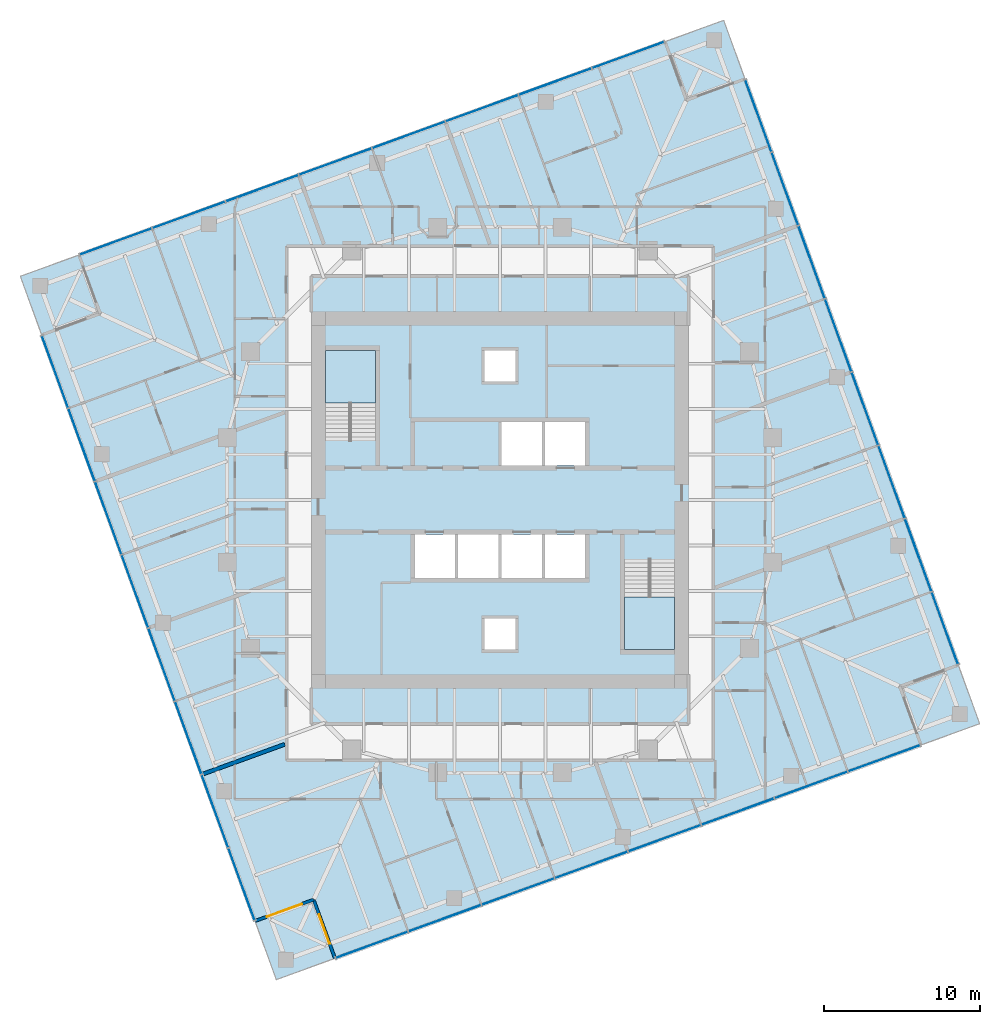
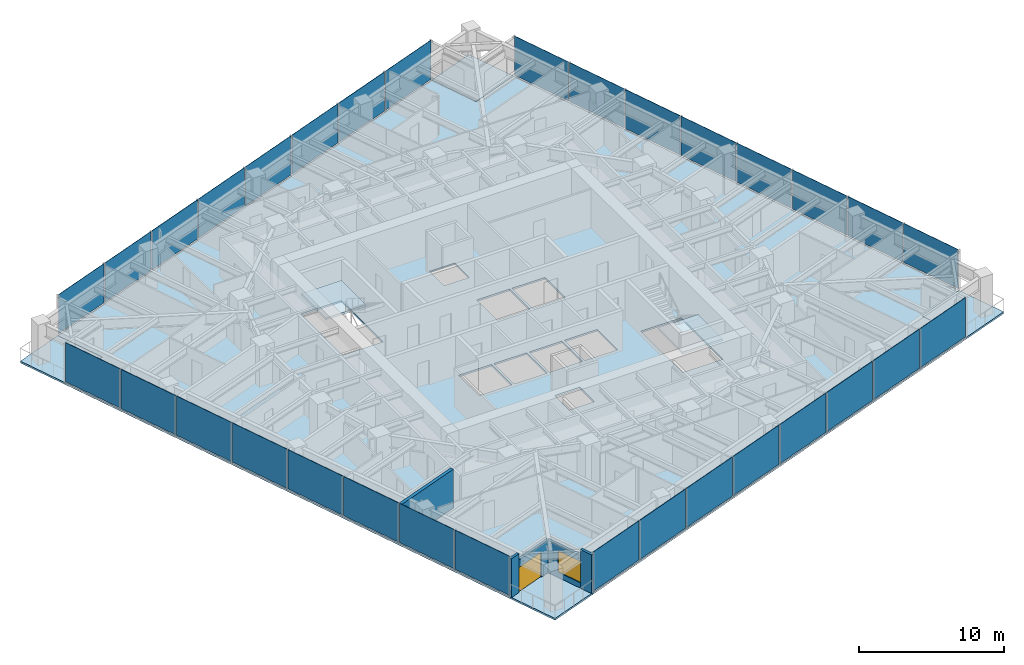
# One storey, part 6 of 13: 32 plates, 7 slabs, 5 walls, 1 door, 1 window, 2 openings, 6 elements without a shape of their own.
"""IFC4 building model written with IfcOpenShell, lengths in metres."""

from ifc_helpers import new_model, si_unit, direction, frame, frame_2d, origin, origin_2d, place, context, subcontext, project, spatial, polyline, rectangle, outline, extrude, material, layer, layer_set, type_object, element, fill, aggregate, save


model = new_model("IFC4")

# Units and contexts
model_context = context("Model", 3, precision=1e-05, world=origin(), true_north=direction((0.0, 1.0)))
body_context = subcontext(model_context, "Body", "Model", "MODEL_VIEW")
ifc_project = project(units=[si_unit("LENGTHUNIT", "METRE"), si_unit("AREAUNIT", "SQUARE_METRE"), si_unit("VOLUMEUNIT", "CUBIC_METRE"), si_unit("PLANEANGLEUNIT", "RADIAN"), si_unit("MASSUNIT", "GRAM", prefix="KILO")], contexts=[model_context])

# Site, building, storey
site_placement = place(None, origin())
site = spatial("IfcSite", under=ifc_project, at=site_placement, CompositionType="ELEMENT")
building_placement = place(site_placement, origin())
building = spatial("IfcBuilding", under=site, at=building_placement, Name="Torsade Residences", CompositionType="ELEMENT")
storey_placement = place(building_placement, frame((0.0, 0.0, 143.800048828125)))
storey = spatial("IfcBuildingStorey", under=building, at=storey_placement, Name="L39", CompositionType="ELEMENT", Elevation=143.800048828125)

# Slab
ifc_material_1 = material(Name="Concrete 40 MPa", Category="concrete")
ifc_layer_1 = layer(ifc_material_1, 0.14990234375)
ifc_layer_set_1 = layer_set([ifc_layer_1], Name="Concrete 40 MPa")
slab_type_1 = type_object("IfcSlabType", Name="COMPOSITE FLOOR SLAB 150", PredefinedType="FLOOR", material=ifc_layer_set_1)
slab_1_placement = place(storey_placement, frame((0.0, 0.0, -0.150146484375)))
element("IfcSlab", 1, at=slab_1_placement, inside=storey, type_object=slab_type_1, Name="Floor slab L39", PredefinedType="FLOOR", context=body_context, shape_type="SweptSolid", body=[
    extrude(outline(polyline([(29.41455078125, 0.60693359375), (67.00244140625, 14.287841796875), (65.63427734375, 18.046630859375), (69.39306640625, 19.41455078125), (55.712158203125, 57.00244140625), (51.953369140625, 55.63427734375), (50.58544921875, 59.39306640625), (12.99755859375, 45.712158203125), (14.36572265625, 41.953369140625), (10.60693359375, 40.58544921875), (24.287841796875, 2.99755859375), (28.046630859375, 4.36572265625), (29.41455078125, 0.60693359375)]), holes=[polyline([(51.199951171875, 26.1201171875), (48.0, 26.1201171875), (48.0, 20.39990234375), (51.199951171875, 20.39990234375), (51.199951171875, 26.1201171875)]), polyline([(45.5, 27.800048828125), (42.89990234375, 27.800048828125), (42.89990234375, 25.0), (45.5, 25.0), (45.5, 27.800048828125)]), polyline([(45.5, 35.0), (42.89990234375, 35.0), (42.89990234375, 32.199951171875), (45.5, 32.199951171875), (45.5, 35.0)]), polyline([(42.699951171875, 25.0), (42.699951171875, 27.800048828125), (40.10009765625, 27.800048828125), (40.10009765625, 25.0), (42.699951171875, 25.0)]), polyline([(42.699951171875, 35.0), (40.10009765625, 35.0), (40.10009765625, 32.199951171875), (42.699951171875, 32.199951171875), (42.699951171875, 35.0)]), polyline([(41.0, 22.39990234375), (39.0, 22.39990234375), (39.0, 20.39990234375), (41.0, 20.39990234375), (41.0, 22.39990234375)]), polyline([(41.0, 37.60009765625), (41.0, 39.60009765625), (39.0, 39.60009765625), (39.0, 37.60009765625), (41.0, 37.60009765625)]), polyline([(39.89990234375, 25.0), (39.89990234375, 27.800048828125), (37.300048828125, 27.800048828125), (37.300048828125, 25.0), (39.89990234375, 25.0)]), polyline([(37.10009765625, 27.800048828125), (34.5, 27.800048828125), (34.5, 25.0), (37.10009765625, 25.0), (37.10009765625, 27.800048828125)]), polyline([(32.0, 33.8798828125), (32.0, 39.60009765625), (28.800048828125, 39.60009765625), (28.800048828125, 33.8798828125), (32.0, 33.8798828125)])]), origin(), (0.0, 0.0, 1.0), 0.150146484375),
])

# Curtain wall, plates
ifc_material_2 = material(Name="Aluminium and glass", Category="aluminium")
curtain_wall_type = type_object("IfcCurtainWallType", Name="FRITTED GLASS CURTAIN WALL MID ZONE", PredefinedType="NOTDEFINED", material=ifc_material_2)
curtain_wall_1_placement = place(storey_placement, origin())
curtain_wall_1 = element("IfcCurtainWall", 2, at=curtain_wall_1_placement, inside=storey, type_object=curtain_wall_type, Name="Curtain wall L39 face 1", PredefinedType="NOTDEFINED")
ifc_material_3 = material(Name="Laminated glass", Category="glass")
ifc_layer_2 = layer(ifc_material_3, 0.031982421875)
ifc_layer_set_2 = layer_set([ifc_layer_2], Name="Laminated glass")
plate_type_1 = type_object("IfcPlateType", Name="FRITTED GLASS PANEL", PredefinedType="CURTAIN_PANEL", material=ifc_layer_set_2)
plate_1_placement = place(storey_placement, frame((31.78271484375, 1.46875, 0.10986328125), z_axis=(0.0, 0.0, 1.0), x_axis=(0.939692619132, 0.342020147869, 0.0)))
plate_1 = element("IfcPlate", 3, at=plate_1_placement, type_object=plate_type_1, Name="Panel 1", PredefinedType="CURTAIN_PANEL", context=body_context, shape_type="SweptSolid", body=[
    extrude(rectangle(XDim=4.8798828125, YDim=0.031982421875, at=origin_2d()), origin(), (0.0, 0.0, 1.0), 3.2900390625),
])
plate_2_placement = place(storey_placement, frame((41.160888671875, 4.88232421875, 0.10986328125), z_axis=(0.0, 0.0, 1.0), x_axis=(0.939692619132, 0.342020147869, 0.0)))
plate_2 = element("IfcPlate", 4, at=plate_2_placement, type_object=plate_type_1, Name="Panel 3", PredefinedType="CURTAIN_PANEL", context=body_context, shape_type="SweptSolid", body=[
    extrude(rectangle(XDim=4.919921875, YDim=0.031982421875, at=origin_2d()), origin(), (0.0, 0.0, 1.0), 3.2900390625),
])
plate_3_placement = place(storey_placement, frame((45.859130859375, 6.59228515625, 0.10986328125), z_axis=(0.0, 0.0, 1.0), x_axis=(0.939692619132, 0.342020147869, 0.0)))
plate_3 = element("IfcPlate", 5, at=plate_3_placement, type_object=plate_type_1, Name="Panel 4", PredefinedType="CURTAIN_PANEL", context=body_context, shape_type="SweptSolid", body=[
    extrude(rectangle(XDim=4.919921875, YDim=0.031982421875, at=origin_2d()), origin(), (0.0, 0.0, 1.0), 3.2900390625),
])
plate_4_placement = place(storey_placement, frame((50.5576171875, 8.302490234375, 0.10986328125), z_axis=(0.0, 0.0, 1.0), x_axis=(0.939692619132, 0.342020147869, 0.0)))
plate_4 = element("IfcPlate", 6, at=plate_4_placement, type_object=plate_type_1, Name="Panel 5", PredefinedType="CURTAIN_PANEL", context=body_context, shape_type="SweptSolid", body=[
    extrude(rectangle(XDim=4.919921875, YDim=0.031982421875, at=origin_2d()), origin(), (0.0, 0.0, 1.0), 3.2900390625),
])
plate_5_placement = place(storey_placement, frame((59.95458984375, 11.72265625, 0.10986328125), z_axis=(0.0, 0.0, 1.0), x_axis=(0.939692619132, 0.342020147869, 0.0)))
plate_5 = element("IfcPlate", 7, at=plate_5_placement, type_object=plate_type_1, Name="Panel 7", PredefinedType="CURTAIN_PANEL", context=body_context, shape_type="SweptSolid", body=[
    extrude(rectangle(XDim=4.919921875, YDim=0.031982421875, at=origin_2d()), origin(), (0.0, 0.0, 1.0), 3.2900390625),
])
plate_6_placement = place(storey_placement, frame((64.63427734375, 13.42578125, 0.10986328125), z_axis=(0.0, 0.0, 1.0), x_axis=(0.939692619132, 0.342020147869, 0.0)))
plate_6 = element("IfcPlate", 8, at=plate_6_placement, type_object=plate_type_1, Name="Panel 8", PredefinedType="CURTAIN_PANEL", context=body_context, shape_type="SweptSolid", body=[
    extrude(rectangle(XDim=4.8798828125, YDim=0.031982421875, at=origin_2d()), origin(), (0.0, 0.0, 1.0), 3.2900390625),
])

curtain_wall_2_placement = place(storey_placement, origin())
curtain_wall_2 = element("IfcCurtainWall", 9, at=curtain_wall_2_placement, inside=storey, type_object=curtain_wall_type, Name="Curtain wall L39 face 4", PredefinedType="NOTDEFINED")
plate_7_placement = place(storey_placement, frame((68.53125, 21.78271484375, 0.10986328125), z_axis=(0.0, 0.0, 1.0), x_axis=(-0.342020147869, 0.939692619132, 0.0)))
plate_7 = element("IfcPlate", 10, at=plate_7_placement, type_object=plate_type_1, Name="Panel 1", PredefinedType="CURTAIN_PANEL", context=body_context, shape_type="SweptSolid", body=[
    extrude(rectangle(XDim=4.8798828125, YDim=0.031982421875, at=origin_2d()), origin(), (0.0, 0.0, 1.0), 3.2900390625),
])
plate_8_placement = place(storey_placement, frame((65.11767578125, 31.160888671875, 0.10986328125), z_axis=(0.0, 0.0, 1.0), x_axis=(-0.342020147869, 0.939692619132, 0.0)))
plate_8 = element("IfcPlate", 11, at=plate_8_placement, type_object=plate_type_1, Name="Panel 3", PredefinedType="CURTAIN_PANEL", context=body_context, shape_type="SweptSolid", body=[
    extrude(rectangle(XDim=4.919921875, YDim=0.031982421875, at=origin_2d()), origin(), (0.0, 0.0, 1.0), 3.2900390625),
])
plate_9_placement = place(storey_placement, frame((63.40771484375, 35.859130859375, 0.10986328125), z_axis=(0.0, 0.0, 1.0), x_axis=(-0.342020147869, 0.939692619132, 0.0)))
plate_9 = element("IfcPlate", 12, at=plate_9_placement, type_object=plate_type_1, Name="Panel 4", PredefinedType="CURTAIN_PANEL", context=body_context, shape_type="SweptSolid", body=[
    extrude(rectangle(XDim=4.919921875, YDim=0.031982421875, at=origin_2d()), origin(), (0.0, 0.0, 1.0), 3.2900390625),
])
plate_10_placement = place(storey_placement, frame((61.697509765625, 40.5576171875, 0.10986328125), z_axis=(0.0, 0.0, 1.0), x_axis=(-0.342020147869, 0.939692619132, 0.0)))
plate_10 = element("IfcPlate", 13, at=plate_10_placement, type_object=plate_type_1, Name="Panel 5", PredefinedType="CURTAIN_PANEL", context=body_context, shape_type="SweptSolid", body=[
    extrude(rectangle(XDim=4.919921875, YDim=0.031982421875, at=origin_2d()), origin(), (0.0, 0.0, 1.0), 3.2900390625),
])
plate_11_placement = place(storey_placement, frame((58.27734375, 49.95458984375, 0.10986328125), z_axis=(0.0, 0.0, 1.0), x_axis=(-0.342020147869, 0.939692619132, 0.0)))
plate_11 = element("IfcPlate", 14, at=plate_11_placement, type_object=plate_type_1, Name="Panel 7", PredefinedType="CURTAIN_PANEL", context=body_context, shape_type="SweptSolid", body=[
    extrude(rectangle(XDim=4.919921875, YDim=0.031982421875, at=origin_2d()), origin(), (0.0, 0.0, 1.0), 3.2900390625),
])
plate_12_placement = place(storey_placement, frame((56.57421875, 54.63427734375, 0.10986328125), z_axis=(0.0, 0.0, 1.0), x_axis=(-0.342020147869, 0.939692619132, 0.0)))
plate_12 = element("IfcPlate", 15, at=plate_12_placement, type_object=plate_type_1, Name="Panel 8", PredefinedType="CURTAIN_PANEL", context=body_context, shape_type="SweptSolid", body=[
    extrude(rectangle(XDim=4.8798828125, YDim=0.031982421875, at=origin_2d()), origin(), (0.0, 0.0, 1.0), 3.2900390625),
])

curtain_wall_3_placement = place(storey_placement, origin())
curtain_wall_3 = element("IfcCurtainWall", 16, at=curtain_wall_3_placement, inside=storey, type_object=curtain_wall_type, Name="Curtain wall L39 face 7", PredefinedType="NOTDEFINED")
plate_13_placement = place(storey_placement, frame((48.21728515625, 58.53125, 0.10986328125), z_axis=(0.0, 0.0, 1.0), x_axis=(-0.939692619132, -0.342020147869, 0.0)))
plate_13 = element("IfcPlate", 17, at=plate_13_placement, type_object=plate_type_1, Name="Panel 1", PredefinedType="CURTAIN_PANEL", context=body_context, shape_type="SweptSolid", body=[
    extrude(rectangle(XDim=4.8798828125, YDim=0.031982421875, at=origin_2d()), origin(), (0.0, 0.0, 1.0), 3.2900390625),
])
plate_14_placement = place(storey_placement, frame((38.839111328125, 55.11767578125, 0.10986328125), z_axis=(0.0, 0.0, 1.0), x_axis=(-0.939692619132, -0.342020147869, 0.0)))
plate_14 = element("IfcPlate", 18, at=plate_14_placement, type_object=plate_type_1, Name="Panel 3", PredefinedType="CURTAIN_PANEL", context=body_context, shape_type="SweptSolid", body=[
    extrude(rectangle(XDim=4.919921875, YDim=0.031982421875, at=origin_2d()), origin(), (0.0, 0.0, 1.0), 3.2900390625),
])
plate_15_placement = place(storey_placement, frame((34.140869140625, 53.40771484375, 0.10986328125), z_axis=(0.0, 0.0, 1.0), x_axis=(-0.939692619132, -0.342020147869, 0.0)))
plate_15 = element("IfcPlate", 19, at=plate_15_placement, type_object=plate_type_1, Name="Panel 4", PredefinedType="CURTAIN_PANEL", context=body_context, shape_type="SweptSolid", body=[
    extrude(rectangle(XDim=4.919921875, YDim=0.031982421875, at=origin_2d()), origin(), (0.0, 0.0, 1.0), 3.2900390625),
])
plate_16_placement = place(storey_placement, frame((29.4423828125, 51.697509765625, 0.10986328125), z_axis=(0.0, 0.0, 1.0), x_axis=(-0.939692619132, -0.342020147869, 0.0)))
plate_16 = element("IfcPlate", 20, at=plate_16_placement, type_object=plate_type_1, Name="Panel 5", PredefinedType="CURTAIN_PANEL", context=body_context, shape_type="SweptSolid", body=[
    extrude(rectangle(XDim=4.919921875, YDim=0.031982421875, at=origin_2d()), origin(), (0.0, 0.0, 1.0), 3.2900390625),
])
plate_17_placement = place(storey_placement, frame((20.04541015625, 48.27734375, 0.10986328125), z_axis=(0.0, 0.0, 1.0), x_axis=(-0.939692619132, -0.342020147869, 0.0)))
plate_17 = element("IfcPlate", 21, at=plate_17_placement, type_object=plate_type_1, Name="Panel 7", PredefinedType="CURTAIN_PANEL", context=body_context, shape_type="SweptSolid", body=[
    extrude(rectangle(XDim=4.919921875, YDim=0.031982421875, at=origin_2d()), origin(), (0.0, 0.0, 1.0), 3.2900390625),
])
plate_18_placement = place(storey_placement, frame((15.36572265625, 46.57421875, 0.10986328125), z_axis=(0.0, 0.0, 1.0), x_axis=(-0.939692619132, -0.342020147869, 0.0)))
plate_18 = element("IfcPlate", 22, at=plate_18_placement, type_object=plate_type_1, Name="Panel 8", PredefinedType="CURTAIN_PANEL", context=body_context, shape_type="SweptSolid", body=[
    extrude(rectangle(XDim=4.8798828125, YDim=0.031982421875, at=origin_2d()), origin(), (0.0, 0.0, 1.0), 3.2900390625),
])

curtain_wall_4_placement = place(storey_placement, origin())
curtain_wall_4 = element("IfcCurtainWall", 23, at=curtain_wall_4_placement, inside=storey, type_object=curtain_wall_type, Name="Curtain wall L39 face 10", PredefinedType="NOTDEFINED")
plate_19_placement = place(storey_placement, frame((11.46875, 38.21728515625, 0.10986328125), z_axis=(0.0, 0.0, 1.0), x_axis=(0.342020147869, -0.939692619132, 0.0)))
plate_19 = element("IfcPlate", 24, at=plate_19_placement, type_object=plate_type_1, Name="Panel 1", PredefinedType="CURTAIN_PANEL", context=body_context, shape_type="SweptSolid", body=[
    extrude(rectangle(XDim=4.8798828125, YDim=0.031982421875, at=origin_2d()), origin(), (0.0, 0.0, 1.0), 3.2900390625),
])
plate_20_placement = place(storey_placement, frame((14.88232421875, 28.839111328125, 0.10986328125), z_axis=(0.0, 0.0, 1.0), x_axis=(0.342020147869, -0.939692619132, 0.0)))
plate_20 = element("IfcPlate", 25, at=plate_20_placement, type_object=plate_type_1, Name="Panel 3", PredefinedType="CURTAIN_PANEL", context=body_context, shape_type="SweptSolid", body=[
    extrude(rectangle(XDim=4.919921875, YDim=0.031982421875, at=origin_2d()), origin(), (0.0, 0.0, 1.0), 3.2900390625),
])
plate_21_placement = place(storey_placement, frame((16.59228515625, 24.140869140625, 0.10986328125), z_axis=(0.0, 0.0, 1.0), x_axis=(0.342020147869, -0.939692619132, 0.0)))
plate_21 = element("IfcPlate", 26, at=plate_21_placement, type_object=plate_type_1, Name="Panel 4", PredefinedType="CURTAIN_PANEL", context=body_context, shape_type="SweptSolid", body=[
    extrude(rectangle(XDim=4.919921875, YDim=0.031982421875, at=origin_2d()), origin(), (0.0, 0.0, 1.0), 3.2900390625),
])
plate_22_placement = place(storey_placement, frame((18.302490234375, 19.4423828125, 0.10986328125), z_axis=(0.0, 0.0, 1.0), x_axis=(0.342020147869, -0.939692619132, 0.0)))
plate_22 = element("IfcPlate", 27, at=plate_22_placement, type_object=plate_type_1, Name="Panel 5", PredefinedType="CURTAIN_PANEL", context=body_context, shape_type="SweptSolid", body=[
    extrude(rectangle(XDim=4.919921875, YDim=0.031982421875, at=origin_2d()), origin(), (0.0, 0.0, 1.0), 3.2900390625),
])
plate_23_placement = place(storey_placement, frame((21.72265625, 10.04541015625, 0.10986328125), z_axis=(0.0, 0.0, 1.0), x_axis=(0.342020147869, -0.939692619132, 0.0)))
plate_23 = element("IfcPlate", 28, at=plate_23_placement, type_object=plate_type_1, Name="Panel 7", PredefinedType="CURTAIN_PANEL", context=body_context, shape_type="SweptSolid", body=[
    extrude(rectangle(XDim=4.919921875, YDim=0.031982421875, at=origin_2d()), origin(), (0.0, 0.0, 1.0), 3.2900390625),
])
plate_24_placement = place(storey_placement, frame((23.42578125, 5.36572265625, 0.10986328125), z_axis=(0.0, 0.0, 1.0), x_axis=(0.342020147869, -0.939692619132, 0.0)))
plate_24 = element("IfcPlate", 29, at=plate_24_placement, type_object=plate_type_1, Name="Panel 8", PredefinedType="CURTAIN_PANEL", context=body_context, shape_type="SweptSolid", body=[
    extrude(rectangle(XDim=4.8798828125, YDim=0.031982421875, at=origin_2d()), origin(), (0.0, 0.0, 1.0), 3.2900390625),
])

# Plate
ifc_material_4 = material(Name="Laminated glass", Category="glass")
ifc_layer_3 = layer(ifc_material_4, 0.0400390625)
ifc_layer_set_3 = layer_set([ifc_layer_3], Name="Laminated glass")
plate_type_2 = type_object("IfcPlateType", Name="OPERABLE VENT PANEL", PredefinedType="CURTAIN_PANEL", material=ifc_layer_set_3)
plate_25_placement = place(storey_placement, frame((36.46240234375, 3.172119140625, 0.10986328125), z_axis=(0.0, 0.0, 1.0), x_axis=(0.939692619132, 0.342020147869, 0.0)))
plate_25 = element("IfcPlate", 30, at=plate_25_placement, type_object=plate_type_2, Name="Panel 2", PredefinedType="CURTAIN_PANEL", context=body_context, shape_type="SweptSolid", body=[
    extrude(rectangle(XDim=4.919921875, YDim=0.0400390625, at=origin_2d()), origin(), (0.0, 0.0, 1.0), 3.2900390625),
])

plate_26_placement = place(storey_placement, frame((55.256103515625, 10.012451171875, 0.10986328125), z_axis=(0.0, 0.0, 1.0), x_axis=(0.939692619132, 0.342020147869, 0.0)))
plate_26 = element("IfcPlate", 31, at=plate_26_placement, type_object=plate_type_2, Name="Panel 6", PredefinedType="CURTAIN_PANEL", context=body_context, shape_type="SweptSolid", body=[
    extrude(rectangle(XDim=4.919921875, YDim=0.0400390625, at=origin_2d()), origin(), (0.0, 0.0, 1.0), 3.2900390625),
])

aggregate(curtain_wall_1, [plate_1, plate_25, plate_2, plate_3, plate_4, plate_26, plate_5, plate_6])

plate_27_placement = place(storey_placement, frame((66.827880859375, 26.46240234375, 0.10986328125), z_axis=(0.0, 0.0, 1.0), x_axis=(-0.342020147869, 0.939692619132, 0.0)))
plate_27 = element("IfcPlate", 32, at=plate_27_placement, type_object=plate_type_2, Name="Panel 2", PredefinedType="CURTAIN_PANEL", context=body_context, shape_type="SweptSolid", body=[
    extrude(rectangle(XDim=4.919921875, YDim=0.0400390625, at=origin_2d()), origin(), (0.0, 0.0, 1.0), 3.2900390625),
])

plate_28_placement = place(storey_placement, frame((59.987548828125, 45.256103515625, 0.10986328125), z_axis=(0.0, 0.0, 1.0), x_axis=(-0.342020147869, 0.939692619132, 0.0)))
plate_28 = element("IfcPlate", 33, at=plate_28_placement, type_object=plate_type_2, Name="Panel 6", PredefinedType="CURTAIN_PANEL", context=body_context, shape_type="SweptSolid", body=[
    extrude(rectangle(XDim=4.919921875, YDim=0.0400390625, at=origin_2d()), origin(), (0.0, 0.0, 1.0), 3.2900390625),
])

aggregate(curtain_wall_2, [plate_7, plate_27, plate_8, plate_9, plate_10, plate_28, plate_11, plate_12])

plate_29_placement = place(storey_placement, frame((43.53759765625, 56.827880859375, 0.10986328125), z_axis=(0.0, 0.0, 1.0), x_axis=(-0.939692619132, -0.342020147869, 0.0)))
plate_29 = element("IfcPlate", 34, at=plate_29_placement, type_object=plate_type_2, Name="Panel 2", PredefinedType="CURTAIN_PANEL", context=body_context, shape_type="SweptSolid", body=[
    extrude(rectangle(XDim=4.919921875, YDim=0.0400390625, at=origin_2d()), origin(), (0.0, 0.0, 1.0), 3.2900390625),
])

plate_30_placement = place(storey_placement, frame((24.743896484375, 49.987548828125, 0.10986328125), z_axis=(0.0, 0.0, 1.0), x_axis=(-0.939692619132, -0.342020147869, 0.0)))
plate_30 = element("IfcPlate", 35, at=plate_30_placement, type_object=plate_type_2, Name="Panel 6", PredefinedType="CURTAIN_PANEL", context=body_context, shape_type="SweptSolid", body=[
    extrude(rectangle(XDim=4.919921875, YDim=0.0400390625, at=origin_2d()), origin(), (0.0, 0.0, 1.0), 3.2900390625),
])

aggregate(curtain_wall_3, [plate_13, plate_29, plate_14, plate_15, plate_16, plate_30, plate_17, plate_18])

plate_31_placement = place(storey_placement, frame((13.172119140625, 33.53759765625, 0.10986328125), z_axis=(0.0, 0.0, 1.0), x_axis=(0.342020147869, -0.939692619132, 0.0)))
plate_31 = element("IfcPlate", 36, at=plate_31_placement, type_object=plate_type_2, Name="Panel 2", PredefinedType="CURTAIN_PANEL", context=body_context, shape_type="SweptSolid", body=[
    extrude(rectangle(XDim=4.919921875, YDim=0.0400390625, at=origin_2d()), origin(), (0.0, 0.0, 1.0), 3.2900390625),
])

plate_32_placement = place(storey_placement, frame((20.012451171875, 14.743896484375, 0.10986328125), z_axis=(0.0, 0.0, 1.0), x_axis=(0.342020147869, -0.939692619132, 0.0)))
plate_32 = element("IfcPlate", 37, at=plate_32_placement, type_object=plate_type_2, Name="Panel 6", PredefinedType="CURTAIN_PANEL", context=body_context, shape_type="SweptSolid", body=[
    extrude(rectangle(XDim=4.919921875, YDim=0.0400390625, at=origin_2d()), origin(), (0.0, 0.0, 1.0), 3.2900390625),
])

aggregate(curtain_wall_4, [plate_19, plate_31, plate_20, plate_21, plate_22, plate_32, plate_23, plate_24])

# Stair, slab
ifc_material_5 = material(Name="Precast concrete 40 MPa", Category="concrete")
stair_type = type_object("IfcStairType", Name="HALF-TURN FIRE STAIR 1500x3400", PredefinedType="HALF_TURN_STAIR", material=ifc_material_5)
stair_1_placement = place(storey_placement, origin())
stair_1 = element("IfcStair", 38, at=stair_1_placement, inside=storey, type_object=stair_type, Name="Stair ST1 L39", PredefinedType="HALF_TURN_STAIR")
ifc_material_6 = material(Name="Precast concrete 40 MPa", Category="concrete")
ifc_layer_4 = layer(ifc_material_6, 0.179931640625)
ifc_layer_set_4 = layer_set([ifc_layer_4], Name="Precast concrete 40 MPa")
slab_type_2 = type_object("IfcSlabType", Name="PRECAST STAIR LANDING 180", PredefinedType="LANDING", material=ifc_layer_set_4)
slab_2_placement = place(storey_placement, frame((0.0, 0.0, 1.52001953125)))
slab_2 = element("IfcSlab", 39, at=slab_2_placement, type_object=slab_type_2, Name="ST1 landing 1", PredefinedType="LANDING", context=body_context, shape_type="SweptSolid", body=[
    extrude(outline(polyline([(28.800048828125, 36.2099609375), (32.0, 36.2099609375), (32.0, 39.60009765625), (28.800048828125, 39.60009765625), (28.800048828125, 36.2099609375)])), origin(), (0.0, 0.0, 1.0), 0.179931640625),
])
aggregate(stair_1, [slab_2])

stair_2_placement = place(storey_placement, origin())
stair_2 = element("IfcStair", 40, at=stair_2_placement, inside=storey, type_object=stair_type, Name="Stair ST2 L39", PredefinedType="HALF_TURN_STAIR")
slab_3_placement = place(storey_placement, frame((0.0, 0.0, 1.52001953125)))
slab_3 = element("IfcSlab", 41, at=slab_3_placement, type_object=slab_type_2, Name="ST2 landing 1", PredefinedType="LANDING", context=body_context, shape_type="SweptSolid", body=[
    extrude(outline(polyline([(48.0, 20.39990234375), (51.199951171875, 20.39990234375), (51.199951171875, 23.7900390625), (48.0, 23.7900390625), (48.0, 20.39990234375)])), origin(), (0.0, 0.0, 1.0), 0.179931640625),
])
aggregate(stair_2, [slab_3])

# Slabs
ifc_material_7 = material(Name="Concrete 40 MPa", Category="concrete")
ifc_layer_5 = layer(ifc_material_7, 0.14990234375)
ifc_layer_set_5 = layer_set([ifc_layer_5], Name="Concrete 40 MPa")
slab_type_3 = type_object("IfcSlabType", Name="TERRACE SLAB 150", PredefinedType="FLOOR", material=ifc_layer_set_5)
slab_4_placement = place(storey_placement, frame((0.0, 0.0, -0.150146484375)))
element("IfcSlab", 42, at=slab_4_placement, inside=storey, type_object=slab_type_3, Name="Corner terrace slab SE L39", PredefinedType="FLOOR", context=body_context, shape_type="SweptSolid", body=[
    extrude(outline(polyline([(67.00244140625, 14.287841796875), (70.760986328125, 15.65576171875), (69.39306640625, 19.41455078125), (65.63427734375, 18.046630859375), (67.00244140625, 14.287841796875)])), origin(), (0.0, 0.0, 1.0), 0.150146484375),
])
slab_5_placement = place(storey_placement, frame((0.0, 0.0, -0.150146484375)))
element("IfcSlab", 43, at=slab_5_placement, inside=storey, type_object=slab_type_3, Name="Corner terrace slab NE L39", PredefinedType="FLOOR", context=body_context, shape_type="SweptSolid", body=[
    extrude(outline(polyline([(51.953369140625, 55.63427734375), (55.712158203125, 57.00244140625), (54.34423828125, 60.760986328125), (50.58544921875, 59.39306640625), (51.953369140625, 55.63427734375)])), origin(), (0.0, 0.0, 1.0), 0.150146484375),
])
slab_6_placement = place(storey_placement, frame((0.0, 0.0, -0.150146484375)))
element("IfcSlab", 44, at=slab_6_placement, inside=storey, type_object=slab_type_3, Name="Corner terrace slab NW L39", PredefinedType="FLOOR", context=body_context, shape_type="SweptSolid", body=[
    extrude(outline(polyline([(10.60693359375, 40.58544921875), (14.36572265625, 41.953369140625), (12.99755859375, 45.712158203125), (9.239013671875, 44.34423828125), (10.60693359375, 40.58544921875)])), origin(), (0.0, 0.0, 1.0), 0.150146484375),
])
slab_7_placement = place(storey_placement, frame((0.0, 0.0, -0.150146484375)))
element("IfcSlab", 45, at=slab_7_placement, inside=storey, type_object=slab_type_3, Name="Corner terrace slab SW L39", PredefinedType="FLOOR", context=body_context, shape_type="SweptSolid", body=[
    extrude(outline(polyline([(25.65576171875, -0.760986328125), (29.41455078125, 0.60693359375), (28.046630859375, 4.36572265625), (24.287841796875, 2.99755859375), (25.65576171875, -0.760986328125)])), origin(), (0.0, 0.0, 1.0), 0.150146484375),
])

# Walls
ifc_material_8 = material(Name="Masonry-lined stud party wall", Category="masonry")
ifc_layer_6 = layer(ifc_material_8, 0.25)
ifc_layer_set_6 = layer_set([ifc_layer_6], Name="Masonry-lined stud party wall")
wall_type_1 = type_object("IfcWallType", Name="PARTY WALL 250", PredefinedType="PARTITIONING", material=ifc_layer_set_6)
wall_1_placement = place(storey_placement, frame((20.86767578125, 12.39453125, 0.0), z_axis=(0.0, 0.0, 1.0), x_axis=(0.939690274876, 0.342026588591, 0.0)))
element("IfcWall", 46, at=wall_1_placement, inside=storey, type_object=wall_type_1, Name="Party wall L39", PredefinedType="PARTITIONING", context=body_context, shape_type="SweptSolid", body=[
    extrude(rectangle(XDim=5.6689453125, YDim=0.25, at=frame_2d((2.83447265625, 0.0))), origin(), (0.0, 0.0, 1.0), 3.25),
])
ifc_material_9 = material(Name="Stone-faced precast concrete 40 MPa panel", Category="masonry")
ifc_layer_7 = layer(ifc_material_9, 0.199951171875)
ifc_layer_set_7 = layer_set([ifc_layer_7], Name="Stone-faced precast concrete 40 MPa panel")
wall_type_2 = type_object("IfcWallType", Name="TERRACE WALL 200", PredefinedType="SOLIDWALL", material=ifc_layer_set_7)
wall_2_placement = place(storey_placement, frame((24.287841796875, 2.99755859375, 0.0), z_axis=(0.0, 0.0, 1.0), x_axis=(0.939659694648, 0.342110593602, 0.0)))
element("IfcWall", 47, at=wall_2_placement, inside=storey, type_object=wall_type_2, Name="Terrace wall L39 11", PredefinedType="SOLIDWALL", context=body_context, shape_type="SweptSolid", body=[
    extrude(rectangle(XDim=0.800048828125, YDim=0.199951171875, at=frame_2d((0.39990234375, 0.0))), origin(), (0.0, 0.0, 1.0), 3.25),
])

# Wall, opening, door
wall_3_placement = place(storey_placement, frame((25.03955078125, 3.271240234375, 0.0), z_axis=(0.0, 0.0, 1.0), x_axis=(0.939693144909, 0.342018703306, 0.0)))
wall_3 = element("IfcWall", 48, at=wall_3_placement, inside=storey, type_object=wall_type_2, Name="Terrace wall L39 11", PredefinedType="SOLIDWALL", context=body_context, shape_type="SweptSolid", body=[
    extrude(rectangle(XDim=3.199951171875, YDim=0.199951171875, at=frame_2d((1.60009765625, 0.0))), origin(), (0.0, 0.0, 1.0), 2.721923828125),
])
opening_1_placement = place(wall_3_placement, origin())
opening_1 = element("IfcOpeningElement", 49, at=opening_1_placement, cuts=wall_3, Name="Opening D10A", PredefinedType="OPENING", context=body_context, shape_type="SweptSolid", body=[
    extrude(rectangle(XDim=2.39990234375, YDim=2.10009765625, at=frame_2d((1.199951171875, 1.050048828125))), frame((0.0, 0.10986328125, 0.0), z_axis=(0.0, -1.0, 0.0), x_axis=(1.0, 0.0, 0.0)), (0.0, 0.0, 1.0), 0.219970703125),
])
ifc_material_10 = material(Name="Aluminium-framed glass door", Category="aluminium")
door_type = type_object("IfcDoorType", Name="TERRACE SLIDING DOOR 2400x2100", OperationType="SLIDING_TO_LEFT", PredefinedType="DOOR", material=ifc_material_10)
door_placement = place(opening_1_placement, origin())
door = element("IfcDoor", 50, at=door_placement, inside=storey, type_object=door_type, Name="Terrace door L39 11", OperationType="SLIDING_TO_LEFT", OverallHeight=2.10009765625, OverallWidth=2.39990234375, PredefinedType="DOOR", context=body_context, shape_type="SweptSolid", body=[
    extrude(rectangle(XDim=2.39990234375, YDim=2.10009765625, at=frame_2d((1.199951171875, 1.050048828125))), frame((0.0, 0.02490234375, 0.0), z_axis=(0.0, -1.0, 0.0), x_axis=(1.0, 0.0, 0.0)), (0.0, 0.0, 1.0), 0.050048828125),
])
fill(opening_1, door)

# Wall, opening, window
wall_4_placement = place(storey_placement, frame((28.046630859375, 4.36572265625, 0.0), z_axis=(0.0, 0.0, 1.0), x_axis=(0.341965219194, -0.939712609717, 0.0)))
wall_4 = element("IfcWall", 51, at=wall_4_placement, inside=storey, type_object=wall_type_2, Name="Terrace wall L39 12", PredefinedType="SOLIDWALL", context=body_context, shape_type="SweptSolid", body=[
    extrude(rectangle(XDim=3.0, YDim=0.199951171875, at=frame_2d((1.5, 0.0))), origin(), (0.0, 0.0, 1.0), 2.721923828125),
])
opening_2_placement = place(wall_4_placement, frame((1.0, 0.0, 0.449951171875)))
opening_2 = element("IfcOpeningElement", 52, at=opening_2_placement, cuts=wall_4, Name="Opening W1B", PredefinedType="OPENING", context=body_context, shape_type="SweptSolid", body=[
    extrude(rectangle(XDim=2.0, YDim=1.800048828125, at=frame_2d((1.0, 0.89990234375))), frame((0.0, 0.10986328125, 0.0), z_axis=(0.0, -1.0, 0.0), x_axis=(1.0, 0.0, 0.0)), (0.0, 0.0, 1.0), 0.219970703125),
])
ifc_material_11 = material(Name="Aluminium-framed glass window", Category="aluminium")
window_type = type_object("IfcWindowType", Name="TERRACE WINDOW 2000x1800", PartitioningType="SINGLE_PANEL", PredefinedType="WINDOW", material=ifc_material_11)
window_placement = place(opening_2_placement, origin())
window = element("IfcWindow", 53, at=window_placement, inside=storey, type_object=window_type, Name="Terrace window L39 12", OverallHeight=1.800048828125, OverallWidth=2.0, PartitioningType="SINGLE_PANEL", PredefinedType="WINDOW", context=body_context, shape_type="SweptSolid", body=[
    extrude(rectangle(XDim=2.0, YDim=1.800048828125, at=frame_2d((1.0, 0.89990234375))), frame((0.0, 0.030029296875, 0.0), z_axis=(0.0, -1.0, 0.0), x_axis=(1.0, 0.0, 0.0)), (0.0, 0.0, 1.0), 0.06005859375),
])
fill(opening_2, window)

# Wall
wall_5_placement = place(storey_placement, frame((29.072509765625, 1.546630859375, 0.0), z_axis=(0.0, 0.0, 1.0), x_axis=(0.342037080957, -0.939686455819, 0.0)))
element("IfcWall", 54, at=wall_5_placement, inside=storey, type_object=wall_type_2, Name="Terrace wall L39 12", PredefinedType="SOLIDWALL", context=body_context, shape_type="SweptSolid", body=[
    extrude(rectangle(XDim=1.0, YDim=0.199951171875, at=frame_2d((0.5, 0.0))), origin(), (0.0, 0.0, 1.0), 3.25),
])

save(model, "model.ifc")
